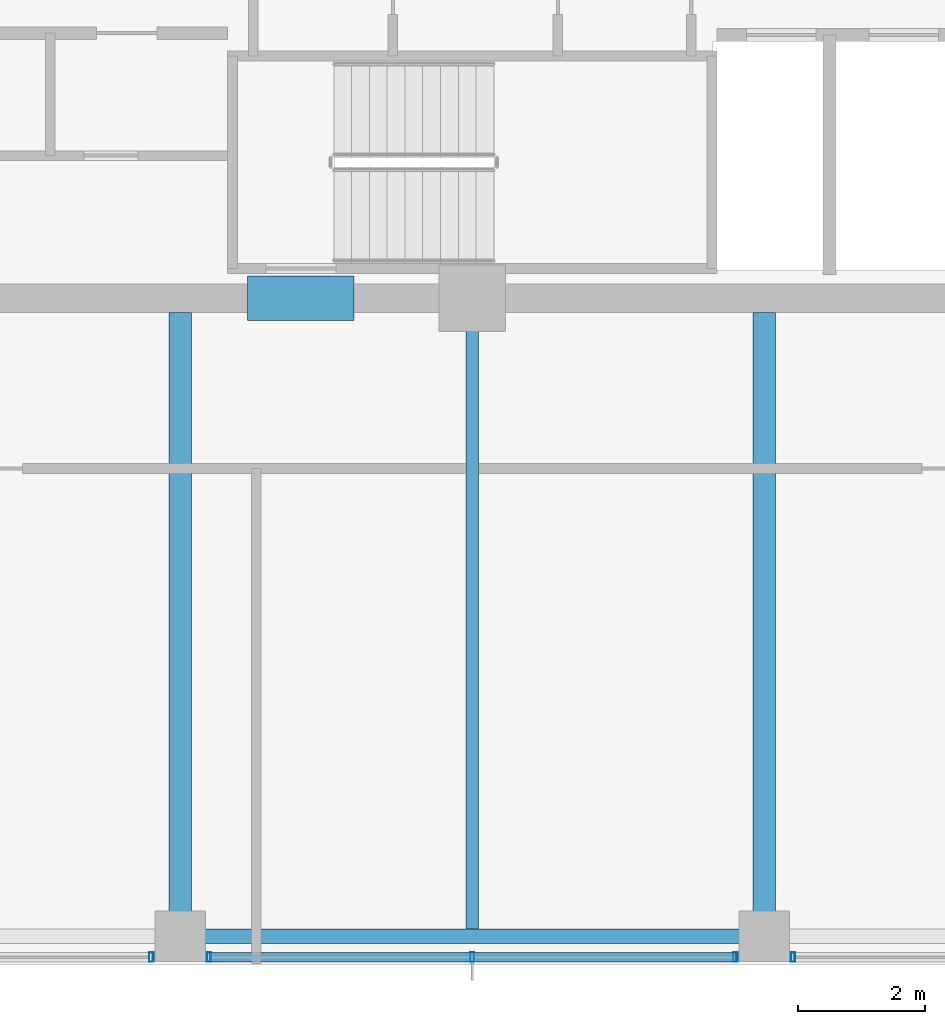
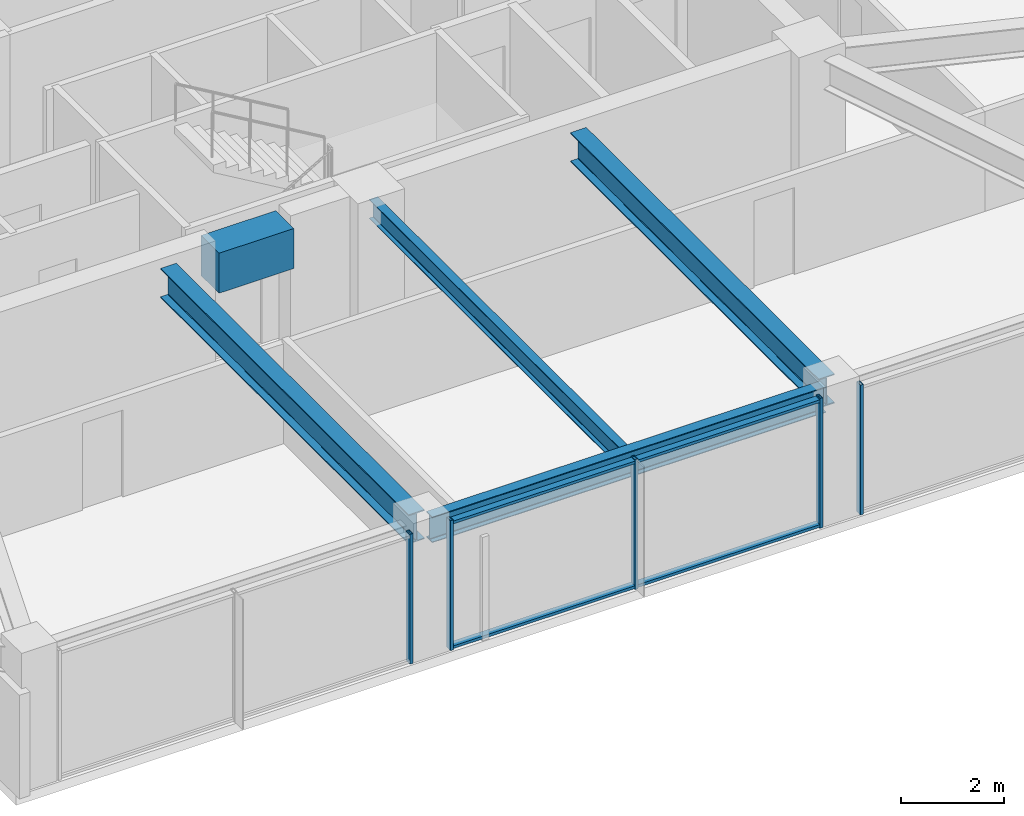
# One storey, part 5 of 34: 7 members, 5 beams, 3 elements without a shape of their own.
"""IFC4 building model written with IfcOpenShell, lengths in metres."""

from ifc_helpers import new_model, si_unit, direction, frame, origin, origin_2d, place, context, subcontext, project, spatial, rectangle, hollow_rectangle, i_section, extrude, material, material_profile, profile_set, type_object, element, aggregate, save


model = new_model("IFC4")

# Units and contexts
model_context = context("Model", 3, precision=1e-05, world=origin(), true_north=direction((0.0, 1.0)))
body_context = subcontext(model_context, "Body", "Model", "MODEL_VIEW")
ifc_project = project(units=[si_unit("LENGTHUNIT", "METRE"), si_unit("AREAUNIT", "SQUARE_METRE"), si_unit("VOLUMEUNIT", "CUBIC_METRE"), si_unit("PLANEANGLEUNIT", "RADIAN"), si_unit("MASSUNIT", "GRAM", prefix="KILO")], contexts=[model_context])

# Site, building, storey
site_placement = place(None, origin())
site = spatial("IfcSite", under=ifc_project, at=site_placement, CompositionType="ELEMENT")
building_placement = place(site_placement, origin())
building = spatial("IfcBuilding", under=site, at=building_placement, Name="Kolvaren Belvedere", CompositionType="ELEMENT")
storey_placement = place(building_placement, frame((0.0, 0.0, 222.89990234375)))
storey = spatial("IfcBuildingStorey", under=building, at=storey_placement, Name="L65", CompositionType="ELEMENT", Elevation=222.89990234375)

# Beams
ifc_material_1 = material(Name="Structural steel ASTM A992 Grade 50", Category="steel")
ifc_material_profile_1 = material_profile(ifc_material_1, i_section(OverallWidth=0.35498046875, OverallDepth=0.696044921875, WebThickness=0.015380859375, FlangeThickness=0.02490234375, FilletRadius=0.02197265625, at=origin_2d()), Name="W27X146")
ifc_profile_set_1 = profile_set([ifc_material_profile_1], Name="Structural steel ASTM A992 Grade 50")
beam_type_1 = type_object("IfcBeamType", Name="BM-GIRD-W27X146", PredefinedType="BEAM", material=ifc_profile_set_1)
for number, where, z_axis, x_axis, name in (
    (1, (4.60009765625, -10.125, 2.732177734375), (0.0, -1.0, 0.0), (1.0, 0.0, 0.0), "L65 South Radial Girder P"),
    (2, (-4.60009765625, -10.125, 2.732177734375), (0.0, -1.0, 0.0), (1.0, 0.0, 0.0), "L65 South Radial Girder M"),
):
    element("IfcBeam", number, at=place(storey_placement, frame(where, z_axis=z_axis, x_axis=x_axis)), inside=storey, type_object=beam_type_1, Name=name, PredefinedType="BEAM", context=body_context, shape_type="SweptSolid", body=[
        extrude(i_section(OverallWidth=0.35498046875, OverallDepth=0.696044921875, WebThickness=0.015380859375, FlangeThickness=0.02490234375, FilletRadius=0.02197265625, at=origin_2d()), origin(), (0.0, 0.0, 1.0), 9.64501953125),
    ])
ifc_material_2 = material(Name="Structural steel ASTM A992 Grade 50", Category="steel")
ifc_material_profile_2 = material_profile(ifc_material_2, i_section(OverallWidth=0.19091796875, OverallDepth=0.4599609375, WebThickness=0.010009765625, FlangeThickness=0.01611328125, FilletRadius=0.014892578125, at=origin_2d()), Name="W18X55")
ifc_profile_set_2 = profile_set([ifc_material_profile_2], Name="Structural steel ASTM A992 Grade 50")
beam_type_2 = type_object("IfcBeamType", Name="BM-JOIST-W18X55", PredefinedType="BEAM", material=ifc_profile_set_2)
beam_1_placement = place(storey_placement, frame((0.0, -10.125, 2.85009765625), z_axis=(0.0, -1.0, 0.0), x_axis=(1.0, 0.0, 0.0)))
element("IfcBeam", 3, at=beam_1_placement, inside=storey, type_object=beam_type_2, Name="L65 South Centre Floor Beam", PredefinedType="BEAM", context=body_context, shape_type="SweptSolid", body=[
    extrude(i_section(OverallWidth=0.19091796875, OverallDepth=0.4599609375, WebThickness=0.010009765625, FlangeThickness=0.01611328125, FilletRadius=0.014892578125, at=origin_2d()), origin(), (0.0, 0.0, 1.0), 9.71044921875),
])
ifc_material_3 = material(Name="Concrete C60/75", Category="concrete")
ifc_material_profile_3 = material_profile(ifc_material_3, rectangle(XDim=0.699951171875, YDim=0.949951171875, at=origin_2d()), Name="RC 700X950")
ifc_profile_set_3 = profile_set([ifc_material_profile_3], Name="Concrete C60/75")
beam_type_3 = type_object("IfcBeamType", Name="BM-LINT-950", PredefinedType="LINTEL", material=ifc_profile_set_3)
beam_2_placement = place(storey_placement, frame((-3.5400390625, -9.89990234375, 2.60498046875), z_axis=(1.0, 0.0, 0.0), x_axis=(0.0, 1.0, 0.0)))
element("IfcBeam", 4, at=beam_2_placement, inside=storey, type_object=beam_type_3, Name="L65 South Core Coupling Lintel", PredefinedType="LINTEL", context=body_context, shape_type="SweptSolid", body=[
    extrude(rectangle(XDim=0.699951171875, YDim=0.949951171875, at=origin_2d()), origin(), (0.0, 0.0, 1.0), 1.679931640625),
])
ifc_material_4 = material(Name="Structural steel ASTM A992 Grade 50", Category="steel")
ifc_material_profile_4 = material_profile(ifc_material_4, i_section(OverallWidth=0.22900390625, OverallDepth=0.612060546875, WebThickness=0.011962890625, FlangeThickness=0.01953125, FilletRadius=0.01806640625, at=origin_2d()), Name="W24X84")
ifc_profile_set_4 = profile_set([ifc_material_profile_4], Name="Structural steel ASTM A992 Grade 50")
beam_type_4 = type_object("IfcBeamType", Name="BM-SPAN-W24X84", PredefinedType="SPANDREL", material=ifc_profile_set_4)
beam_3_placement = place(storey_placement, frame((-4.419921875, -19.949951171875, 2.774169921875), z_axis=(1.0, 0.0, 0.0), x_axis=(0.0, 1.0, 0.0)))
element("IfcBeam", 5, at=beam_3_placement, inside=storey, type_object=beam_type_4, Name="L65 Perimeter Spandrel S2-S3", PredefinedType="SPANDREL", context=body_context, shape_type="SweptSolid", body=[
    extrude(i_section(OverallWidth=0.22900390625, OverallDepth=0.612060546875, WebThickness=0.011962890625, FlangeThickness=0.01953125, FilletRadius=0.01806640625, at=origin_2d()), origin(), (0.0, 0.0, 1.0), 8.83984375),
])

# Curtain wall, member
ifc_material_5 = material(Name="Anodised pale-metal aluminium AA 6063-T6", Category="aluminium")
curtain_wall_type = type_object("IfcCurtainWallType", Name="CW-Z5-HIGH", PredefinedType="NOTDEFINED", material=ifc_material_5)
curtain_wall_1_placement = place(storey_placement, origin())
curtain_wall_1 = element("IfcCurtainWall", 6, at=curtain_wall_1_placement, inside=storey, type_object=curtain_wall_type, Name="L65 Unitised Curtain Wall FCW-L65-S-B1", PredefinedType="NOTDEFINED")
ifc_material_6 = material(Name="Anodised pale-metal aluminium AA 6063-T6", Category="aluminium")
ifc_material_profile_5 = material_profile(ifc_material_6, hollow_rectangle(XDim=0.070068359375, YDim=0.14990234375, WallThickness=0.004150390625, at=origin_2d()), Name="ALU-MUL-150X70")
ifc_profile_set_5 = profile_set([ifc_material_profile_5], Name="Anodised pale-metal aluminium AA 6063-T6")
member_type_1 = type_object("IfcMemberType", Name="CW-MUL-150", PredefinedType="MULLION", material=ifc_profile_set_5)
member_1_placement = place(storey_placement, frame((5.054931640625, -20.280029296875, 0.0), z_axis=(0.0, 0.0, 1.0), x_axis=(1.0, 0.0, 0.0)))
member_1 = element("IfcMember", 7, at=member_1_placement, type_object=member_type_1, Name="FCW-L65-S-B1 Unitised Mullion 3", PredefinedType="MULLION", context=body_context, shape_type="SweptSolid", body=[
    extrude(hollow_rectangle(XDim=0.070068359375, YDim=0.14990234375, WallThickness=0.004150390625, at=origin_2d()), origin(), (0.0, 0.0, 1.0), 3.080078125),
])
aggregate(curtain_wall_1, [member_1])

# Curtain wall, members
curtain_wall_2_placement = place(storey_placement, origin())
curtain_wall_2 = element("IfcCurtainWall", 8, at=curtain_wall_2_placement, inside=storey, type_object=curtain_wall_type, Name="L65 Unitised Curtain Wall FCW-L65-S-B2", PredefinedType="NOTDEFINED")
member_2_placement = place(storey_placement, frame((4.14501953125, -20.280029296875, 0.0), z_axis=(0.0, 0.0, 1.0), x_axis=(1.0, 0.0, 0.0)))
member_2 = element("IfcMember", 9, at=member_2_placement, type_object=member_type_1, Name="FCW-L65-S-B2 Unitised Mullion 1", PredefinedType="MULLION", context=body_context, shape_type="SweptSolid", body=[
    extrude(hollow_rectangle(XDim=0.070068359375, YDim=0.14990234375, WallThickness=0.004150390625, at=origin_2d()), origin(), (0.0, 0.0, 1.0), 3.080078125),
])
member_3_placement = place(storey_placement, frame((0.0, -20.280029296875, 0.0), z_axis=(0.0, 0.0, 1.0), x_axis=(1.0, 0.0, 0.0)))
member_3 = element("IfcMember", 10, at=member_3_placement, type_object=member_type_1, Name="FCW-L65-S-B2 Unitised Mullion 2", PredefinedType="MULLION", context=body_context, shape_type="SweptSolid", body=[
    extrude(hollow_rectangle(XDim=0.070068359375, YDim=0.14990234375, WallThickness=0.004150390625, at=origin_2d()), origin(), (0.0, 0.0, 1.0), 3.080078125),
])
member_4_placement = place(storey_placement, frame((-4.14501953125, -20.280029296875, 0.0), z_axis=(0.0, 0.0, 1.0), x_axis=(1.0, 0.0, 0.0)))
member_4 = element("IfcMember", 11, at=member_4_placement, type_object=member_type_1, Name="FCW-L65-S-B2 Unitised Mullion 3", PredefinedType="MULLION", context=body_context, shape_type="SweptSolid", body=[
    extrude(hollow_rectangle(XDim=0.070068359375, YDim=0.14990234375, WallThickness=0.004150390625, at=origin_2d()), origin(), (0.0, 0.0, 1.0), 3.080078125),
])

# Curtain wall, member
curtain_wall_3_placement = place(storey_placement, origin())
curtain_wall_3 = element("IfcCurtainWall", 12, at=curtain_wall_3_placement, inside=storey, type_object=curtain_wall_type, Name="L65 Unitised Curtain Wall FCW-L65-S-B3", PredefinedType="NOTDEFINED")
member_5_placement = place(storey_placement, frame((-5.054931640625, -20.280029296875, 0.0), z_axis=(0.0, 0.0, 1.0), x_axis=(1.0, 0.0, 0.0)))
member_5 = element("IfcMember", 13, at=member_5_placement, type_object=member_type_1, Name="FCW-L65-S-B3 Unitised Mullion 1", PredefinedType="MULLION", context=body_context, shape_type="SweptSolid", body=[
    extrude(hollow_rectangle(XDim=0.070068359375, YDim=0.14990234375, WallThickness=0.004150390625, at=origin_2d()), origin(), (0.0, 0.0, 1.0), 3.080078125),
])
aggregate(curtain_wall_3, [member_5])

# Member
ifc_material_7 = material(Name="Anodised pale-metal aluminium AA 6063-T6", Category="aluminium")
ifc_material_profile_6 = material_profile(ifc_material_7, hollow_rectangle(XDim=0.06494140625, YDim=0.14990234375, WallThickness=0.00390625, at=origin_2d()), Name="ALU-TRN-150X65")
ifc_profile_set_6 = profile_set([ifc_material_profile_6], Name="Anodised pale-metal aluminium AA 6063-T6")
member_type_2 = type_object("IfcMemberType", Name="CW-TRN-150", PredefinedType="USERDEFINED", material=ifc_profile_set_6)
member_6_placement = place(storey_placement, frame((4.14501953125, -20.280029296875, 0.06005859375), z_axis=(-1.0, 0.0, 0.0), x_axis=(0.0, 0.0, 1.0)))
member_6 = element("IfcMember", 14, at=member_6_placement, type_object=member_type_2, Name="FCW-L65-S-B2 Sill Transom", ObjectType="TRANSOM", PredefinedType="USERDEFINED", context=body_context, shape_type="SweptSolid", body=[
    extrude(hollow_rectangle(XDim=0.06494140625, YDim=0.14990234375, WallThickness=0.00390625, at=origin_2d()), origin(), (0.0, 0.0, 1.0), 8.2900390625),
])

member_7_placement = place(storey_placement, frame((4.14501953125, -20.280029296875, 3.02001953125), z_axis=(-1.0, 0.0, 0.0), x_axis=(0.0, 0.0, 1.0)))
member_7 = element("IfcMember", 15, at=member_7_placement, type_object=member_type_2, Name="FCW-L65-S-B2 Head Transom", ObjectType="TRANSOM", PredefinedType="USERDEFINED", context=body_context, shape_type="SweptSolid", body=[
    extrude(hollow_rectangle(XDim=0.06494140625, YDim=0.14990234375, WallThickness=0.00390625, at=origin_2d()), origin(), (0.0, 0.0, 1.0), 8.2900390625),
])

aggregate(curtain_wall_2, [member_2, member_3, member_4, member_6, member_7])

save(model, "model.ifc")
